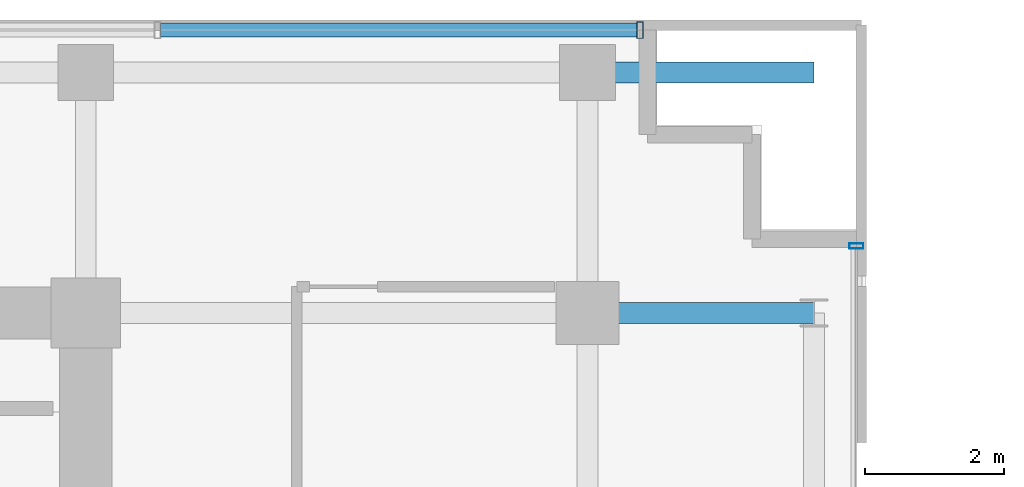
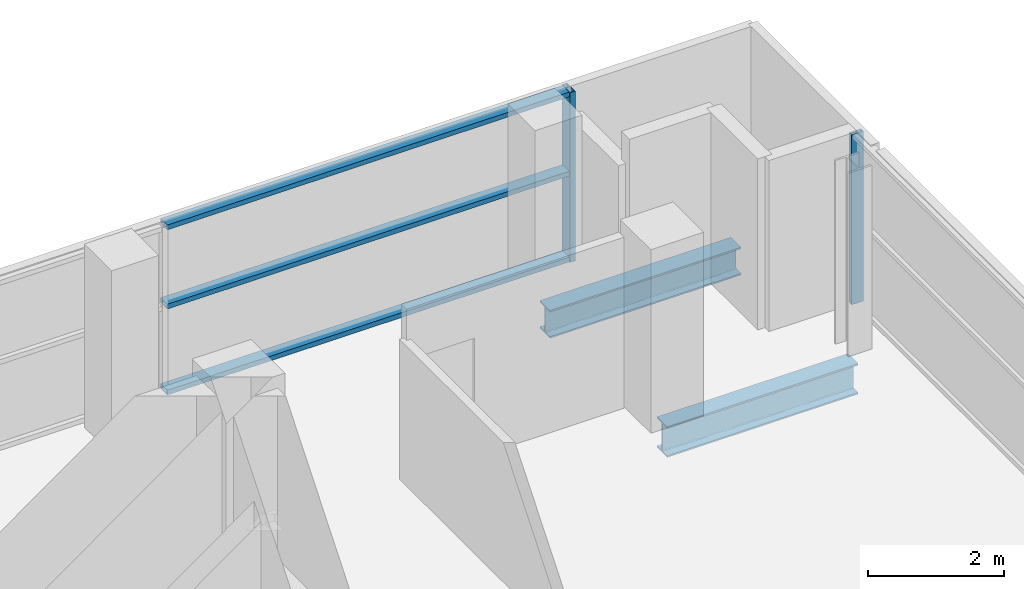
# One storey, part 17 of 27: 5 members, 2 beams, 2 elements without a shape of their own.
"""IFC4 building model written with IfcOpenShell, lengths in metres."""

from ifc_helpers import new_model, si_unit, direction, frame, origin, origin_2d, place, context, subcontext, project, spatial, hollow_rectangle, i_section, extrude, source, transform, mapped, material, layer, layer_set, material_profile, profile_set, type_object, element, aggregate, save


model = new_model("IFC4")

# Units and contexts
model_context = context("Model", 3, precision=1e-05, world=origin(), true_north=direction((0.0, 1.0)))
body_context = subcontext(model_context, "Body", "Model", "MODEL_VIEW")
ifc_project = project(units=[si_unit("LENGTHUNIT", "METRE"), si_unit("AREAUNIT", "SQUARE_METRE"), si_unit("VOLUMEUNIT", "CUBIC_METRE"), si_unit("PLANEANGLEUNIT", "RADIAN"), si_unit("MASSUNIT", "GRAM", prefix="KILO")], contexts=[model_context])

# Site, building, storey
site_placement = place(None, origin())
site = spatial("IfcSite", under=ifc_project, at=site_placement, CompositionType="ELEMENT")
building_placement = place(site_placement, origin())
building = spatial("IfcBuilding", under=site, at=building_placement, Name="Zarnakvel Exchange Tower", CompositionType="ELEMENT")
storey_placement = place(building_placement, frame((0.0, 0.0, 106.60009765625)))
storey = spatial("IfcBuildingStorey", under=building, at=storey_placement, Name="L29", CompositionType="ELEMENT", Elevation=106.60009765625)

# Beams
ifc_material_1 = material(Name="Steel S355", Category="steel")
ifc_material_profile_1 = material_profile(ifc_material_1, i_section(OverallWidth=0.300048828125, OverallDepth=0.550048828125, WebThickness=0.014892578125, FlangeThickness=0.029052734375, FilletRadius=0.027099609375, at=origin_2d()))
ifc_profile_set_1 = profile_set([ifc_material_profile_1], Name="Steel S355")
beam_type_1 = type_object("IfcBeamType", Name="G-05", PredefinedType="BEAM", material=ifc_profile_set_1)
beam_1_placement = place(storey_placement, frame((21.60009765625, 13.5, -0.5), z_axis=(1.0, 0.0, 0.0), x_axis=(0.0, 1.0, 0.0)))
element("IfcBeam", 1, at=beam_1_placement, inside=storey, type_object=beam_type_1, Name="L29 Tower E-W Frame Beam", PredefinedType="BEAM", context=body_context, shape_type="SweptSolid", body=[
    extrude(i_section(OverallWidth=0.300048828125, OverallDepth=0.550048828125, WebThickness=0.014892578125, FlangeThickness=0.029052734375, FilletRadius=0.027099609375, at=origin_2d()), origin(), (0.0, 0.0, 1.0), 3.25),
])
ifc_material_profile_2 = material_profile(ifc_material_1, i_section(OverallWidth=0.300048828125, OverallDepth=0.5, WebThickness=0.014404296875, FlangeThickness=0.028076171875, FilletRadius=0.027099609375, at=origin_2d()))
ifc_profile_set_2 = profile_set([ifc_material_profile_2], Name="Steel S355")
beam_type_2 = type_object("IfcBeamType", Name="SP-02", PredefinedType="SPANDREL", material=ifc_profile_set_2)
beam_2_placement = place(storey_placement, frame((21.60009765625, 16.949951171875, -0.47509765625), z_axis=(1.0, 0.0, 0.0), x_axis=(0.0, 1.0, 0.0)))
element("IfcBeam", 2, at=beam_2_placement, inside=storey, type_object=beam_type_2, Name="L29 North-East Corner Spandrel", PredefinedType="SPANDREL", context=body_context, shape_type="SweptSolid", body=[
    extrude(i_section(OverallWidth=0.300048828125, OverallDepth=0.5, WebThickness=0.014404296875, FlangeThickness=0.028076171875, FilletRadius=0.027099609375, at=origin_2d()), origin(), (0.0, 0.0, 1.0), 3.25),
])

# Curtain wall, member
ifc_material_2 = material(Name="Architectural Bronze Anodised Aluminium", Category="aluminium")
ifc_layer_1 = layer(ifc_material_2, 0.239990234375)
ifc_layer_set_1 = layer_set([ifc_layer_1], Name="Architectural Bronze Anodised Aluminium")
curtain_wall_type_1 = type_object("IfcCurtainWallType", Name="CW-02", PredefinedType="NOTDEFINED", material=ifc_layer_set_1)
curtain_wall_1_placement = place(storey_placement, origin())
curtain_wall_1 = element("IfcCurtainWall", 3, at=curtain_wall_1_placement, inside=storey, type_object=curtain_wall_type_1, Name="L29 Curtain Wall CW-L29-N1 (CW-02)", PredefinedType="NOTDEFINED")
ifc_material_profile_3 = material_profile(ifc_material_2, hollow_rectangle(XDim=0.239990234375, YDim=0.090087890625, WallThickness=0.006103515625, at=origin_2d()))
ifc_profile_set_3 = profile_set([ifc_material_profile_3], Name="Architectural Bronze Anodised Aluminium")
member_type_1 = type_object("IfcMemberType", Name="CWM-02", PredefinedType="MULLION", material=ifc_profile_set_3)
shared_shape_1 = source(origin(), body_context, "Body", "SweptSolid", [
    extrude(hollow_rectangle(XDim=0.239990234375, YDim=0.090087890625, WallThickness=0.006103515625, at=origin_2d()), origin(), (0.0, 0.0, 1.0), 3.054931640625),
])
member_1_placement = place(storey_placement, frame((22.35498046875, 17.56005859375, 0.0), z_axis=(0.0, 0.0, 1.0), x_axis=(0.0, 1.0, 0.0)))
member_1 = element("IfcMember", 4, at=member_1_placement, type_object=member_type_1, Name="CW-02 mullion 8", PredefinedType="MULLION", context=body_context, shape_type="MappedRepresentation", body=[
    mapped(shared_shape_1, transform((0.0, 0.0, 0.0), x_axis=(1.0, 0.0, 0.0), y_axis=(0.0, 1.0, 0.0), z_axis=(0.0, 0.0, 1.0), scale=1.0)),
])

ifc_layer_2 = layer(ifc_material_2, 0.199951171875)
ifc_layer_set_2 = layer_set([ifc_layer_2], Name="Architectural Bronze Anodised Aluminium")
curtain_wall_type_2 = type_object("IfcCurtainWallType", Name="CW-04", PredefinedType="NOTDEFINED", material=ifc_layer_set_2)
curtain_wall_2_placement = place(storey_placement, origin())
curtain_wall_2 = element("IfcCurtainWall", 5, at=curtain_wall_2_placement, inside=storey, type_object=curtain_wall_type_2, Name="L29 Curtain Wall CW-L29-EN (CW-04)", PredefinedType="NOTDEFINED")
ifc_material_profile_4 = material_profile(ifc_material_2, hollow_rectangle(XDim=0.199951171875, YDim=0.074951171875, WallThickness=0.0048828125, at=origin_2d()))
ifc_profile_set_4 = profile_set([ifc_material_profile_4], Name="Architectural Bronze Anodised Aluminium")
member_type_2 = type_object("IfcMemberType", Name="CWM-04", PredefinedType="MULLION", material=ifc_profile_set_4)
shared_shape_2 = source(origin(), body_context, "Body", "SweptSolid", [
    extrude(hollow_rectangle(XDim=0.199951171875, YDim=0.074951171875, WallThickness=0.0048828125, at=origin_2d()), origin(), (0.0, 0.0, 1.0), 3.054931640625),
])
member_2_placement = place(storey_placement, frame((25.4599609375, 14.46240234375, 0.0), z_axis=(0.0, 0.0, 1.0), x_axis=(-1.0, 0.0, 0.0)))
member_2 = element("IfcMember", 6, at=member_2_placement, type_object=member_type_2, Name="CW-04 mullion 3", PredefinedType="MULLION", context=body_context, shape_type="MappedRepresentation", body=[
    mapped(shared_shape_2, transform((0.0, 0.0, 0.0), x_axis=(1.0, 0.0, 0.0), y_axis=(0.0, 1.0, 0.0), z_axis=(0.0, 0.0, 1.0), scale=1.0)),
])
aggregate(curtain_wall_2, [member_2])

# Member
ifc_material_profile_5 = material_profile(ifc_material_2, hollow_rectangle(XDim=0.199951171875, YDim=0.0849609375, WallThickness=0.0048828125, at=origin_2d()))
ifc_profile_set_5 = profile_set([ifc_material_profile_5], Name="Architectural Bronze Anodised Aluminium")
member_type_3 = type_object("IfcMemberType", Name="CWT-02", PredefinedType="USERDEFINED", material=ifc_profile_set_5)
shared_shape_3 = source(origin(), body_context, "Body", "SweptSolid", [
    extrude(hollow_rectangle(XDim=0.199951171875, YDim=0.0849609375, WallThickness=0.0048828125, at=origin_2d()), origin(), (0.0, 0.0, 1.0), 6.83642578125),
])
member_3_placement = place(storey_placement, frame((15.4736328125, 17.56005859375, 0.04248046875), z_axis=(1.0, 0.0, 0.0), x_axis=(0.0, 1.0, 0.0)))
member_3 = element("IfcMember", 7, at=member_3_placement, type_object=member_type_3, Name="CW-02 transom 7.1", ObjectType="TRANSOM", PredefinedType="USERDEFINED", context=body_context, shape_type="MappedRepresentation", body=[
    mapped(shared_shape_3, transform((0.0, 0.0, 0.0), x_axis=(1.0, 0.0, 0.0), y_axis=(0.0, 1.0, 0.0), z_axis=(0.0, 0.0, 1.0), scale=1.0)),
])

member_4_placement = place(storey_placement, frame((15.4736328125, 17.56005859375, 1.588623046875), z_axis=(1.0, 0.0, 0.0), x_axis=(0.0, 1.0, 0.0)))
member_4 = element("IfcMember", 8, at=member_4_placement, type_object=member_type_3, Name="CW-02 transom 7.2", ObjectType="TRANSOM", PredefinedType="USERDEFINED", context=body_context, shape_type="MappedRepresentation", body=[
    mapped(shared_shape_3, transform((0.0, 0.0, 0.0), x_axis=(1.0, 0.0, 0.0), y_axis=(0.0, 1.0, 0.0), z_axis=(0.0, 0.0, 1.0), scale=1.0)),
])

member_5_placement = place(storey_placement, frame((15.4736328125, 17.56005859375, 3.012451171875), z_axis=(1.0, 0.0, 0.0), x_axis=(0.0, 1.0, 0.0)))
member_5 = element("IfcMember", 9, at=member_5_placement, type_object=member_type_3, Name="CW-02 transom 7.3", ObjectType="TRANSOM", PredefinedType="USERDEFINED", context=body_context, shape_type="MappedRepresentation", body=[
    mapped(shared_shape_3, transform((0.0, 0.0, 0.0), x_axis=(1.0, 0.0, 0.0), y_axis=(0.0, 1.0, 0.0), z_axis=(0.0, 0.0, 1.0), scale=1.0)),
])

aggregate(curtain_wall_1, [member_1, member_3, member_4, member_5])

save(model, "model.ifc")
